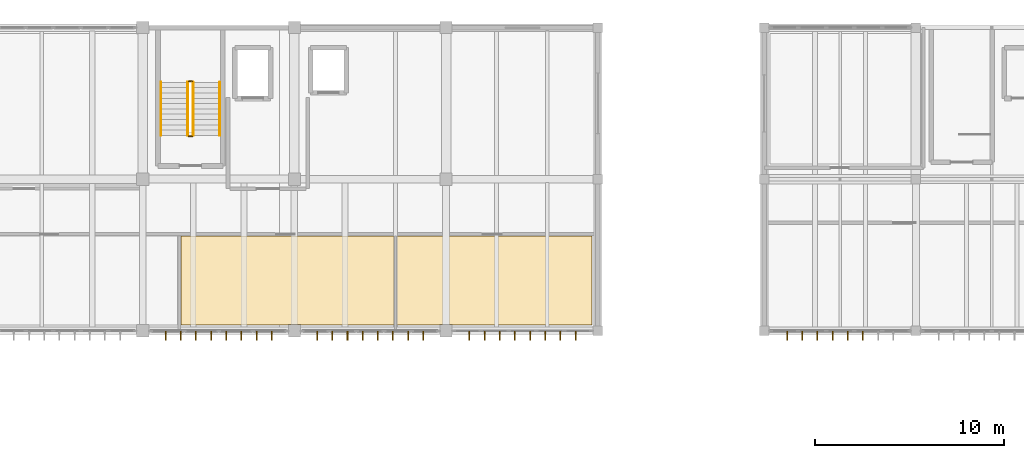
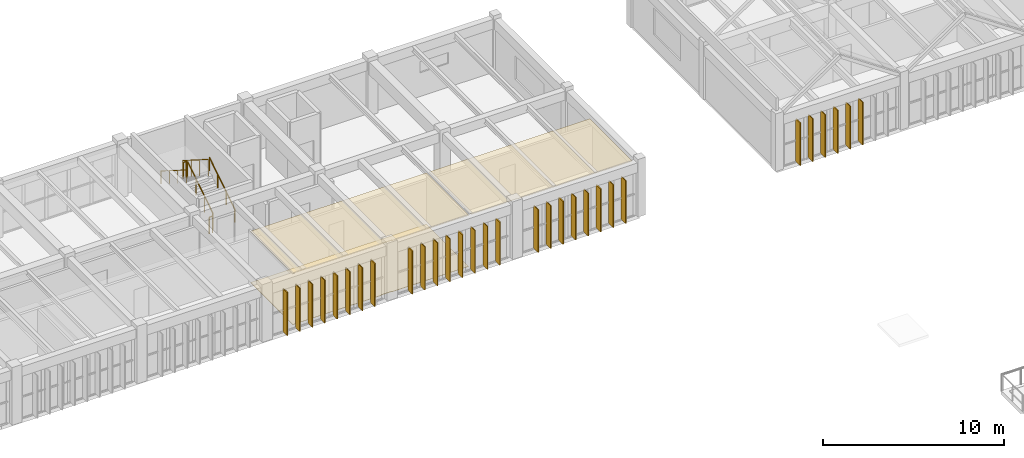
# One storey, part 28 of 31: 30 shading devices, 6 railings, 3 coverings.
"""IFC4 building model written with IfcOpenShell, lengths in metres."""

from ifc_helpers import new_model, si_unit, direction, frame, origin, origin_2d, place, context, subcontext, project, spatial, polyline, rectangle, circle, outline, extrude, material, layer, layer_set, type_object, element, save


model = new_model("IFC4")

# Units and contexts
model_context = context("Model", 3, precision=1e-05, world=origin(), true_north=direction((0.0, 1.0)))
body_context = subcontext(model_context, "Body", "Model", "MODEL_VIEW")
ifc_project = project(units=[si_unit("LENGTHUNIT", "METRE"), si_unit("AREAUNIT", "SQUARE_METRE"), si_unit("VOLUMEUNIT", "CUBIC_METRE"), si_unit("PLANEANGLEUNIT", "RADIAN"), si_unit("MASSUNIT", "GRAM", prefix="KILO")], contexts=[model_context])

# Site, building, storey
site_placement = place(None, origin())
site = spatial("IfcSite", under=ifc_project, at=site_placement, CompositionType="ELEMENT")
building_placement = place(site_placement, origin())
building = spatial("IfcBuilding", under=site, at=building_placement, Name="Tlaxcora Railside Police Headquarters", CompositionType="ELEMENT")
storey_placement = place(building_placement, frame((0.0, 0.0, 18.0)))
storey = spatial("IfcBuildingStorey", under=building, at=storey_placement, Name="L04", CompositionType="ELEMENT", Elevation=18.0)

# Coverings
ifc_material_1 = material(Name="Mineral-fibre acoustic ceiling tile")
ifc_layer_1 = layer(ifc_material_1, 0.034912109375, Name="Mineral-fibre acoustic ceiling tile")
ifc_layer_set_1 = layer_set([ifc_layer_1], Name="Mineral-fibre acoustic ceiling tile")
covering_type_1 = type_object("IfcCoveringType", Name="Acoustic Suspended Ceiling CLG-01", PredefinedType="CEILING", material=ifc_layer_set_1)
covering_1_placement = place(storey_placement, frame((0.0, 0.0, 3.465087890625)))
element("IfcCovering", 1, at=covering_1_placement, inside=storey, type_object=covering_type_1, Name="Division Command Office L04 suspended ceiling", PredefinedType="CEILING", context=body_context, shape_type="SweptSolid", body=[
    extrude(outline(polyline([(83.408935546875, 81.800048828125), (83.408935546875, 77.10009765625), (85.6650390625, 77.10009765625), (85.6650390625, 77.135009765625), (86.3349609375, 77.135009765625), (86.3349609375, 77.10009765625), (93.699951171875, 77.10009765625), (93.699951171875, 81.800048828125), (83.408935546875, 81.800048828125)])), origin(), (0.0, 0.0, 1.0), 0.034912109375),
])
ifc_material_2 = material(Name="Heavy-duty resin and raised-access technical flooring")
ifc_layer_2 = layer(ifc_material_2, 0.02490234375, Name="Heavy-duty resin and raised-access technical flooring")
ifc_layer_set_2 = layer_set([ifc_layer_2], Name="Heavy-duty resin and raised-access technical flooring")
covering_type_2 = type_object("IfcCoveringType", Name="Epoxy Chemical-Resistant Lab Flooring FLR-02", PredefinedType="FLOORING", material=ifc_layer_set_2)
covering_2_placement = place(storey_placement, origin())
element("IfcCovering", 2, at=covering_2_placement, inside=storey, type_object=covering_type_2, Name="Cartographic and GIS Threat Analysis Lab technical floor finish", PredefinedType="FLOORING", context=body_context, shape_type="SweptSolid", body=[
    extrude(outline(polyline([(72.0009765625, 81.800048828125), (72.0009765625, 77.10009765625), (77.6650390625, 77.10009765625), (77.6650390625, 77.135009765625), (78.3349609375, 77.135009765625), (78.3349609375, 77.10009765625), (83.2490234375, 77.10009765625), (83.2490234375, 81.800048828125), (72.0009765625, 81.800048828125)])), origin(), (0.0, 0.0, 1.0), 0.02490234375),
])
ifc_layer_3 = layer(ifc_material_1, 0.044921875, Name="Mineral-fibre acoustic ceiling tile")
ifc_layer_set_3 = layer_set([ifc_layer_3], Name="Mineral-fibre acoustic ceiling tile")
covering_type_3 = type_object("IfcCoveringType", Name="Laboratory Hygienic Ceiling CLG-02", PredefinedType="CEILING", material=ifc_layer_set_3)
covering_3_placement = place(storey_placement, frame((0.0, 0.0, 3.455078125)))
element("IfcCovering", 3, at=covering_3_placement, inside=storey, type_object=covering_type_3, Name="Cartographic and GIS Threat Analysis Lab suspended ceiling", PredefinedType="CEILING", context=body_context, shape_type="SweptSolid", body=[
    extrude(outline(polyline([(72.0009765625, 81.800048828125), (72.0009765625, 77.10009765625), (77.6650390625, 77.10009765625), (77.6650390625, 77.135009765625), (78.3349609375, 77.135009765625), (78.3349609375, 77.10009765625), (83.2490234375, 77.10009765625), (83.2490234375, 81.800048828125), (72.0009765625, 81.800048828125)])), origin(), (0.0, 0.0, 1.0), 0.044921875),
])

# Shading devices
ifc_material_3 = material(Name="Anodised aluminium framing", Category="aluminium")
ifc_layer_4 = layer(ifc_material_3, 0.054931640625, Name="Anodised aluminium framing")
ifc_layer_set_4 = layer_set([ifc_layer_4], Name="Anodised aluminium framing")
shading_device_type_1 = type_object("IfcShadingDeviceType", Name="Solar Control Fin SF-01", PredefinedType="JALOUSIE", material=ifc_layer_set_4)
for number, where, z_axis, x_axis, name in (
    (4, (71.199951171875, 76.5400390625, 0.0400390625), (0.0, 0.0, 1.0), (0.0, -1.0, 0.0), "Vertical solar fin 445"),
    (5, (72.0, 76.5400390625, 0.0400390625), (0.0, 0.0, 1.0), (0.0, -1.0, 0.0), "Vertical solar fin 446"),
    (6, (72.800048828125, 76.5400390625, 0.0400390625), (0.0, 0.0, 1.0), (0.0, -1.0, 0.0), "Vertical solar fin 447"),
    (7, (73.60009765625, 76.5400390625, 0.0400390625), (0.0, 0.0, 1.0), (0.0, -1.0, 0.0), "Vertical solar fin 448"),
    (8, (74.39990234375, 76.5400390625, 0.0400390625), (0.0, 0.0, 1.0), (0.0, -1.0, 0.0), "Vertical solar fin 449"),
    (9, (75.199951171875, 76.5400390625, 0.0400390625), (0.0, 0.0, 1.0), (0.0, -1.0, 0.0), "Vertical solar fin 450"),
    (10, (76.0, 76.5400390625, 0.0400390625), (0.0, 0.0, 1.0), (0.0, -1.0, 0.0), "Vertical solar fin 451"),
    (11, (76.800048828125, 76.5400390625, 0.0400390625), (0.0, 0.0, 1.0), (0.0, -1.0, 0.0), "Vertical solar fin 452"),
    (12, (79.199951171875, 76.5400390625, 0.0400390625), (0.0, 0.0, 1.0), (0.0, -1.0, 0.0), "Vertical solar fin 453"),
    (13, (80.0, 76.5400390625, 0.0400390625), (0.0, 0.0, 1.0), (0.0, -1.0, 0.0), "Vertical solar fin 454"),
    (14, (80.800048828125, 76.5400390625, 0.0400390625), (0.0, 0.0, 1.0), (0.0, -1.0, 0.0), "Vertical solar fin 455"),
    (15, (81.60009765625, 76.5400390625, 0.0400390625), (0.0, 0.0, 1.0), (0.0, -1.0, 0.0), "Vertical solar fin 456"),
    (16, (82.39990234375, 76.5400390625, 0.0400390625), (0.0, 0.0, 1.0), (0.0, -1.0, 0.0), "Vertical solar fin 457"),
    (17, (83.199951171875, 76.5400390625, 0.0400390625), (0.0, 0.0, 1.0), (0.0, -1.0, 0.0), "Vertical solar fin 458"),
    (18, (84.0, 76.5400390625, 0.0400390625), (0.0, 0.0, 1.0), (0.0, -1.0, 0.0), "Vertical solar fin 459"),
    (19, (84.800048828125, 76.5400390625, 0.0400390625), (0.0, 0.0, 1.0), (0.0, -1.0, 0.0), "Vertical solar fin 460"),
    (20, (87.237548828125, 76.5400390625, 0.0400390625), (0.0, 0.0, 1.0), (0.0, -1.0, 0.0), "Vertical solar fin 461"),
    (21, (88.03759765625, 76.5400390625, 0.0400390625), (0.0, 0.0, 1.0), (0.0, -1.0, 0.0), "Vertical solar fin 462"),
    (22, (88.83740234375, 76.5400390625, 0.0400390625), (0.0, 0.0, 1.0), (0.0, -1.0, 0.0), "Vertical solar fin 463"),
    (23, (89.637451171875, 76.5400390625, 0.0400390625), (0.0, 0.0, 1.0), (0.0, -1.0, 0.0), "Vertical solar fin 464"),
    (24, (90.4375, 76.5400390625, 0.0400390625), (0.0, 0.0, 1.0), (0.0, -1.0, 0.0), "Vertical solar fin 465"),
    (25, (91.237548828125, 76.5400390625, 0.0400390625), (0.0, 0.0, 1.0), (0.0, -1.0, 0.0), "Vertical solar fin 466"),
    (26, (92.03759765625, 76.5400390625, 0.0400390625), (0.0, 0.0, 1.0), (0.0, -1.0, 0.0), "Vertical solar fin 467"),
    (27, (92.83740234375, 76.5400390625, 0.0400390625), (0.0, 0.0, 1.0), (0.0, -1.0, 0.0), "Vertical solar fin 468"),
):
    element("IfcShadingDevice", number, at=place(storey_placement, frame(where, z_axis=z_axis, x_axis=x_axis)), inside=storey, type_object=shading_device_type_1, Name=name, PredefinedType="JALOUSIE", context=body_context, shape_type="SweptSolid", body=[
        extrude(rectangle(XDim=0.47998046875, YDim=0.054931640625, at=origin_2d()), origin(), (0.0, 0.0, 1.0), 2.909912109375),
    ])
ifc_material_4 = material(Name="Bronze-anodised perforated aluminium sheet", Category="aluminium")
ifc_layer_5 = layer(ifc_material_4, 0.06494140625, Name="Bronze-anodised perforated aluminium sheet")
ifc_layer_set_5 = layer_set([ifc_layer_5], Name="Bronze-anodised perforated aluminium sheet")
shading_device_type_2 = type_object("IfcShadingDeviceType", Name="Solar Control Fin SF-02", PredefinedType="JALOUSIE", material=ifc_layer_set_5)
for number, where, z_axis, x_axis, name in (
    (28, (104.0, 76.5400390625, 0.0400390625), (0.0, 0.0, 1.0), (0.0, -1.0, 0.0), "Vertical solar fin 928"),
    (29, (104.800048828125, 76.5400390625, 0.0400390625), (0.0, 0.0, 1.0), (0.0, -1.0, 0.0), "Vertical solar fin 929"),
    (30, (105.60009765625, 76.5400390625, 0.0400390625), (0.0, 0.0, 1.0), (0.0, -1.0, 0.0), "Vertical solar fin 930"),
    (31, (106.39990234375, 76.5400390625, 0.0400390625), (0.0, 0.0, 1.0), (0.0, -1.0, 0.0), "Vertical solar fin 931"),
    (32, (107.199951171875, 76.5400390625, 0.0400390625), (0.0, 0.0, 1.0), (0.0, -1.0, 0.0), "Vertical solar fin 932"),
    (33, (108.0, 76.5400390625, 0.0400390625), (0.0, 0.0, 1.0), (0.0, -1.0, 0.0), "Vertical solar fin 933"),
):
    element("IfcShadingDevice", number, at=place(storey_placement, frame(where, z_axis=z_axis, x_axis=x_axis)), inside=storey, type_object=shading_device_type_2, Name=name, PredefinedType="JALOUSIE", context=body_context, shape_type="SweptSolid", body=[
        extrude(rectangle(XDim=0.47998046875, YDim=0.054931640625, at=origin_2d()), origin(), (0.0, 0.0, 1.0), 2.89990234375),
    ])

# Railings
ifc_material_5 = material(Name="Steel ASTM A992 Grade 50", Category="steel")
railing_type_1 = type_object("IfcRailingType", Name="Stair Well Guard Balustrade GR-02", PredefinedType="BALUSTRADE", material=ifc_material_5)
railing_1_placement = place(storey_placement, frame((72.659912109375, 87.110107421875, 0.17724609375)))
element("IfcRailing", 34, at=railing_1_placement, inside=storey, type_object=railing_type_1, Name="L04 ST2 stair guard 1", PredefinedType="BALUSTRADE", context=body_context, shape_type="SweptSolid", body=[
    extrude(circle(Radius=0.02392578125, at=origin_2d()), frame((0.0, 0.0, 1.09619140625), z_axis=(0.0, 0.844887892834, 0.53494340686), x_axis=(-1.0, 0.0, 0.0)), (0.0, 0.0, 1.0), 3.313720703125),
    extrude(circle(Radius=0.02099609375, at=origin_2d()), origin(), (0.0, 0.0, 1.0), 1.072021484375),
    extrude(circle(Radius=0.02099609375, at=origin_2d()), frame((0.0, 0.933349609375, 0.5908203125)), (0.0, 0.0, 1.0), 1.072021484375),
    extrude(circle(Radius=0.02099609375, at=origin_2d()), frame((0.0, 1.866455078125, 1.181884765625)), (0.0, 0.0, 1.0), 1.072021484375),
    extrude(circle(Radius=0.02099609375, at=origin_2d()), frame((0.0, 2.7998046875, 1.772705078125)), (0.0, 0.0, 1.0), 1.072021484375),
])
railing_2_placement = place(storey_placement, frame((72.610107421875, 89.9599609375, 1.949951171875)))
element("IfcRailing", 35, at=railing_2_placement, inside=storey, type_object=railing_type_1, Name="L04 ST2 stair guard 2", PredefinedType="BALUSTRADE", context=body_context, shape_type="SweptSolid", body=[
    extrude(circle(Radius=0.02392578125, at=origin_2d()), frame((0.0, 0.0, 1.09619140625), z_axis=(-1.0, 0.0, 0.0), x_axis=(0.0, -1.0, 0.0)), (0.0, 0.0, 1.0), 0.2001953125),
    extrude(circle(Radius=0.02099609375, at=origin_2d()), origin(), (0.0, 0.0, 1.0), 1.072021484375),
    extrude(circle(Radius=0.02099609375, at=origin_2d()), frame((-0.2001953125, 0.0, 0.0)), (0.0, 0.0, 1.0), 1.072021484375),
])
railing_3_placement = place(storey_placement, frame((72.360107421875, 89.909912109375, 2.127197265625)))
element("IfcRailing", 36, at=railing_3_placement, inside=storey, type_object=railing_type_1, Name="L04 ST2 stair guard 3", PredefinedType="BALUSTRADE", context=body_context, shape_type="SweptSolid", body=[
    extrude(circle(Radius=0.02392578125, at=origin_2d()), frame((0.0, 0.0, 1.09619140625), z_axis=(0.0, -0.844887892834, 0.53494340686), x_axis=(1.0, 0.0, 0.0)), (0.0, 0.0, 1.0), 3.313720703125),
    extrude(circle(Radius=0.02099609375, at=origin_2d()), origin(), (0.0, 0.0, 1.0), 1.072021484375),
    extrude(circle(Radius=0.02099609375, at=origin_2d()), frame((0.0, -0.933349609375, 0.5908203125)), (0.0, 0.0, 1.0), 1.072021484375),
    extrude(circle(Radius=0.02099609375, at=origin_2d()), frame((0.0, -1.866455078125, 1.181884765625)), (0.0, 0.0, 1.0), 1.072021484375),
    extrude(circle(Radius=0.02099609375, at=origin_2d()), frame((0.0, -2.7998046875, 1.772705078125)), (0.0, 0.0, 1.0), 1.072021484375),
])
railing_4_placement = place(storey_placement, frame((72.610107421875, 87.06005859375, 0.0)))
element("IfcRailing", 37, at=railing_4_placement, inside=storey, type_object=railing_type_1, Name="L04 ST2 stair guard 4", PredefinedType="BALUSTRADE", context=body_context, shape_type="SweptSolid", body=[
    extrude(circle(Radius=0.02392578125, at=origin_2d()), frame((0.0, 0.0, 1.09619140625), z_axis=(-1.0, 0.0, 0.0), x_axis=(0.0, -1.0, 0.0)), (0.0, 0.0, 1.0), 0.2001953125),
    extrude(circle(Radius=0.02099609375, at=origin_2d()), origin(), (0.0, 0.0, 1.0), 1.072021484375),
    extrude(circle(Radius=0.02099609375, at=origin_2d()), frame((-0.2001953125, 0.0, 0.0)), (0.0, 0.0, 1.0), 1.072021484375),
])
railing_type_2 = type_object("IfcRailingType", Name="Stair and Ramp Handrail HR-01", PredefinedType="HANDRAIL", material=ifc_material_5)
railing_5_placement = place(storey_placement, frame((74.06005859375, 87.110107421875, 0.17724609375)))
element("IfcRailing", 38, at=railing_5_placement, inside=storey, type_object=railing_type_2, Name="L04 ST2 stair handrail 1", PredefinedType="HANDRAIL", context=body_context, shape_type="SweptSolid", body=[
    extrude(circle(Radius=0.02392578125, at=origin_2d()), frame((0.0, 0.0, 0.8759765625), z_axis=(0.0, 0.844887892834, 0.53494340686), x_axis=(-1.0, 0.0, 0.0)), (0.0, 0.0, 1.0), 3.313720703125),
    extrude(circle(Radius=0.02099609375, at=origin_2d()), origin(), (0.0, 0.0, 1.0), 0.851806640625),
    extrude(circle(Radius=0.02099609375, at=origin_2d()), frame((0.0, 0.933349609375, 0.5908203125)), (0.0, 0.0, 1.0), 0.851806640625),
    extrude(circle(Radius=0.02099609375, at=origin_2d()), frame((0.0, 1.866455078125, 1.181884765625)), (0.0, 0.0, 1.0), 0.851806640625),
    extrude(circle(Radius=0.02099609375, at=origin_2d()), frame((0.0, 2.7998046875, 1.772705078125)), (0.0, 0.0, 1.0), 0.851806640625),
])
railing_6_placement = place(storey_placement, frame((70.9599609375, 89.909912109375, 2.127197265625)))
element("IfcRailing", 39, at=railing_6_placement, inside=storey, type_object=railing_type_2, Name="L04 ST2 stair handrail 2", PredefinedType="HANDRAIL", context=body_context, shape_type="SweptSolid", body=[
    extrude(circle(Radius=0.02392578125, at=origin_2d()), frame((0.0, 0.0, 0.8759765625), z_axis=(0.0, -0.844887892834, 0.53494340686), x_axis=(1.0, 0.0, 0.0)), (0.0, 0.0, 1.0), 3.313720703125),
    extrude(circle(Radius=0.02099609375, at=origin_2d()), origin(), (0.0, 0.0, 1.0), 0.851806640625),
    extrude(circle(Radius=0.02099609375, at=origin_2d()), frame((0.0, -0.933349609375, 0.5908203125)), (0.0, 0.0, 1.0), 0.851806640625),
    extrude(circle(Radius=0.02099609375, at=origin_2d()), frame((0.0, -1.866455078125, 1.181884765625)), (0.0, 0.0, 1.0), 0.851806640625),
    extrude(circle(Radius=0.02099609375, at=origin_2d()), frame((0.0, -2.7998046875, 1.772705078125)), (0.0, 0.0, 1.0), 0.851806640625),
])

save(model, "model.ifc")
